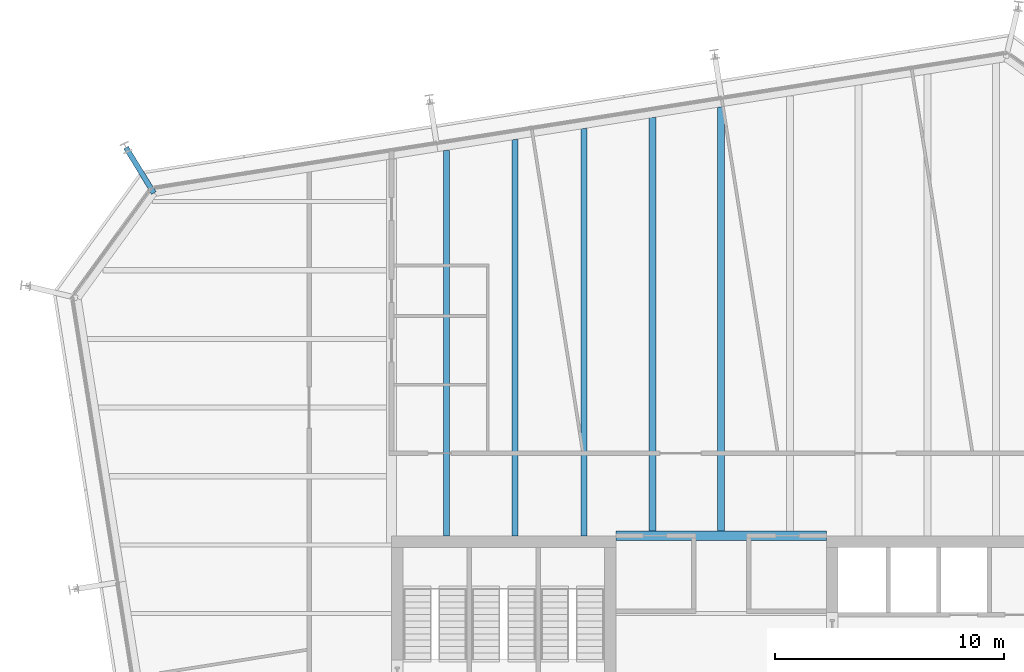
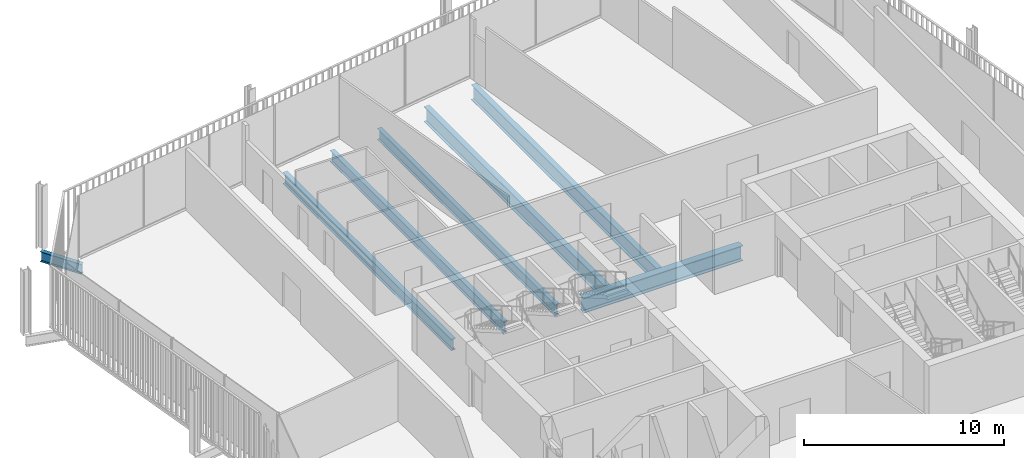
# One storey, part 11 of 20: 7 beams.
"""IFC4 building model written with IfcOpenShell, lengths in metres."""

import ifcopenshell
import ifcopenshell.guid

model = None  # the IFC model being written
_history = None  # IfcOwnerHistory: only IFC2X3 demands one
_inside = {}  # id of a spatial element -> (the spatial element, [elements in it])
_under = {}  # id of a project, library or spatial element -> (it, [spatial elements below it])
_declared = {}  # id of a project -> (the project, [libraries it declares])
_typed = {}  # id of a type object -> (the type object, [elements of that type])
_made_of = {}  # id of a material, layer set ... -> (it, [elements and type objects made of it])


def new_model(schema):
    """Start an empty IFC model of exactly this schema.

    Asked for "IFC4X3", IfcOpenShell would pick the latest addendum, in which some entities
    have other attributes; the version numbers below select the first issue.
    IFC2X3 requires an IfcOwnerHistory on every rooted entity: one is made here for all.
    """
    global model, _history
    if schema == "IFC4X3":
        model = ifcopenshell.file(schema_version=(4, 3, 0, 0))
    else:
        model = ifcopenshell.file(schema=schema)
    _inside.clear()
    _under.clear()
    _declared.clear()
    _typed.clear()
    _made_of.clear()
    _history = None
    if model.schema == "IFC2X3":
        org = make("IfcOrganization", Name="unknown")
        user = make(
            "IfcPersonAndOrganization",
            ThePerson=make("IfcPerson", FamilyName="unknown"),
            TheOrganization=org,
        )
        app = make(
            "IfcApplication",
            ApplicationDeveloper=org,
            Version="unknown",
            ApplicationFullName="unknown",
            ApplicationIdentifier="unknown",
        )
        _history = make(
            "IfcOwnerHistory",
            OwningUser=user,
            OwningApplication=app,
            ChangeAction="ADDED",
            CreationDate=0,
        )
    return model


def make(cls, **values):
    """One entity of the class cls with the attributes given. An attribute that is None is left unset."""
    return model.create_entity(
        cls, **{name: value for name, value in values.items() if value is not None}
    )


def rooted(cls, **values):
    """An entity with a GlobalId (a new one), such as an element, a storey or a relation."""
    return make(cls, GlobalId=ifcopenshell.guid.new(), OwnerHistory=_history, **values)


def si_unit(unit_type, name, prefix=None):
    """IfcSIUnit, for example si_unit("LENGTHUNIT", "METRE", prefix="MILLI")."""
    return make("IfcSIUnit", UnitType=unit_type, Prefix=prefix, Name=name)


def assignment(units):
    """IfcUnitAssignment: the units of a project."""
    return None if units is None else make("IfcUnitAssignment", Units=units)


def point(xyz):
    """IfcCartesianPoint."""
    return None if xyz is None else make("IfcCartesianPoint", Coordinates=xyz)


def direction(xyz):
    """IfcDirection."""
    return None if xyz is None else make("IfcDirection", DirectionRatios=xyz)


def frame(location, z_axis=None, x_axis=None):
    """IfcAxis2Placement3D, a coordinate frame: its origin and axes. An axis left out is left unset."""
    return make(
        "IfcAxis2Placement3D",
        Location=point(location),
        Axis=direction(z_axis),
        RefDirection=direction(x_axis),
    )


def frame_2d(location, x_axis=None):
    """IfcAxis2Placement2D, a coordinate frame in the plane: its origin and x axis."""
    return make(
        "IfcAxis2Placement2D", Location=point(location), RefDirection=direction(x_axis)
    )


def origin():
    """The frame at (0, 0, 0) with its axes left unset."""
    return frame((0.0, 0.0, 0.0))


def origin_2d():
    """The frame at (0, 0) in the plane with its x axis left unset."""
    return frame_2d((0.0, 0.0))


def place(relative_to, where):
    """IfcLocalPlacement: puts the frame where relative to a parent placement (None: the world)."""
    return make(
        "IfcLocalPlacement", PlacementRelTo=relative_to, RelativePlacement=where
    )


def context(
    kind, dimensions, precision=None, world=None, true_north=None, identifier=None
):
    """IfcGeometricRepresentationContext, for example the 3D "Model" context."""
    return make(
        "IfcGeometricRepresentationContext",
        ContextIdentifier=identifier,
        ContextType=kind,
        CoordinateSpaceDimension=dimensions,
        Precision=precision,
        WorldCoordinateSystem=world,
        TrueNorth=true_north,
    )


def subcontext(parent, identifier, kind, view, scale=None):
    """IfcGeometricRepresentationSubContext, for example "Body" below "Model"."""
    return make(
        "IfcGeometricRepresentationSubContext",
        ContextIdentifier=identifier,
        ContextType=kind,
        ParentContext=parent,
        TargetScale=scale,
        TargetView=view,
    )


def project(units=None, contexts=None):
    """IfcProject with its units and contexts."""
    return rooted(
        "IfcProject",
        Name="project",
        RepresentationContexts=contexts,
        UnitsInContext=assignment(units),
    )


def spatial(cls, under=None, at=None, **own):
    """A site, building, storey or space (cls), placed at a placement, below another one or the project."""
    s = rooted(cls, ObjectPlacement=at, **own)
    if under is not None:
        _under.setdefault(under.id(), (under, []))[1].append(s)
    return s


def profile(cls, at=None, kind="AREA", **sizes):
    """A parametric profile (cls). Its sizes go by their IFC names, for example OverallWidth=200.0."""
    return make(cls, ProfileType=kind, Position=at, **sizes)


def i_section(**sizes):
    """IfcIShapeProfileDef."""
    return profile("IfcIShapeProfileDef", **sizes)


def extrude(swept, where, along, depth):
    """IfcExtrudedAreaSolid: the profile swept, set in the frame where, extruded along a direction by depth."""
    return make(
        "IfcExtrudedAreaSolid",
        SweptArea=swept,
        Position=where,
        ExtrudedDirection=direction(along),
        Depth=depth,
    )


def shape(context_of_items, identifier, shape_type, items):
    """IfcShapeRepresentation: the items that make up one representation, for example the "Body"."""
    return make(
        "IfcShapeRepresentation",
        ContextOfItems=context_of_items,
        RepresentationIdentifier=identifier,
        RepresentationType=shape_type,
        Items=items,
    )


def material(Name=None, Category=None):
    """IfcMaterial."""
    return make("IfcMaterial", Name=Name, Category=Category)


def material_profile(
    of_material, cross_section, Name=None, Category=None, Priority=None
):
    """IfcMaterialProfile: a cross section and its material."""
    return make(
        "IfcMaterialProfile",
        Name=Name,
        Material=of_material,
        Profile=cross_section,
        Priority=Priority,
        Category=Category,
    )


def profile_set(profiles, Name=None, composite=None):
    """IfcMaterialProfileSet."""
    return make(
        "IfcMaterialProfileSet",
        Name=Name,
        MaterialProfiles=profiles,
        CompositeProfile=composite,
    )


def made_of(thing, what):
    """Note that an element or type object is made of a material, layer set ...; save() writes the relation."""
    if what is not None:
        _made_of.setdefault(what.id(), (what, []))[1].append(thing)
    return thing


def type_object(cls, material=None, **own):
    """A type object (cls), such as IfcWallType, which elements share."""
    return made_of(rooted(cls, **own), material)


def element(
    cls,
    number,
    at=None,
    inside=None,
    cuts=None,
    type_object=None,
    material=None,
    context=None,
    identifier="Body",
    shape_type=None,
    held_by="IfcProductDefinitionShape",
    body=None,
    shapes=None,
    **own,
):
    """One element of the class cls, such as IfcWall. Its Tag is "e" and its number.

    at: its placement. inside: the storey or other place that contains it. cuts: it is an
    opening in that element (IfcRelVoidsElement). A single representation is given by context,
    identifier, shape_type and body (its items); several are given by shapes. held_by: the class
    of the entity that holds the representations. save() writes the other relations.
    """
    e = rooted(cls, Tag="e%d" % number, ObjectPlacement=at, **own)
    if body is not None:
        shapes = [shape(context, identifier, shape_type, body)]
    if shapes is not None:
        e.Representation = make(held_by, Representations=shapes)
    if inside is not None:
        _inside.setdefault(inside.id(), (inside, []))[1].append(e)
    if cuts is not None:
        rooted(
            "IfcRelVoidsElement", RelatingBuildingElement=cuts, RelatedOpeningElement=e
        )
    if type_object is not None:
        _typed.setdefault(type_object.id(), (type_object, []))[1].append(e)
    return made_of(e, material)


def aggregate(whole, parts):
    """IfcRelAggregates: a whole, such as a stair, and the parts it consists of."""
    return rooted("IfcRelAggregates", RelatingObject=whole, RelatedObjects=parts)


def save(model, path):
    """Write the relations noted so far, then the file.

    IfcRelAggregates (storeys below a building ...), IfcRelContainedInSpatialStructure (elements
    in a storey), IfcRelDefinesByType, IfcRelAssociatesMaterial and IfcRelDeclares: one each for
    every whole, place, type object, material and project.
    """
    for whole, parts in _under.values():
        aggregate(whole, parts)
    for where, things in _inside.values():
        rooted(
            "IfcRelContainedInSpatialStructure",
            RelatedElements=things,
            RelatingStructure=where,
        )
    for kind, things in _typed.values():
        rooted("IfcRelDefinesByType", RelatedObjects=things, RelatingType=kind)
    for what, things in _made_of.values():
        rooted("IfcRelAssociatesMaterial", RelatedObjects=things, RelatingMaterial=what)
    for by, libraries in _declared.values():
        rooted("IfcRelDeclares", RelatingContext=by, RelatedDefinitions=libraries)
    model.write(path)


model = new_model("IFC4")

# Units and contexts
model_context = context("Model", 3, precision=1e-05, world=origin(), true_north=direction((0.0, 1.0)))
body_context = subcontext(model_context, "Body", "Model", "MODEL_VIEW")
ifc_project = project(units=[si_unit("LENGTHUNIT", "METRE"), si_unit("AREAUNIT", "SQUARE_METRE"), si_unit("VOLUMEUNIT", "CUBIC_METRE"), si_unit("PLANEANGLEUNIT", "RADIAN"), si_unit("MASSUNIT", "GRAM", prefix="KILO")], contexts=[model_context])

# Site, building, storey
site_placement = place(None, origin())
site = spatial("IfcSite", under=ifc_project, at=site_placement, CompositionType="ELEMENT")
building_placement = place(site_placement, origin())
building = spatial("IfcBuilding", under=site, at=building_placement, Name="Millrace Tower", CompositionType="ELEMENT")
storey_placement = place(building_placement, frame((0.0, 0.0, 224.199951171875)))
storey = spatial("IfcBuildingStorey", under=building, at=storey_placement, Name="L51", CompositionType="ELEMENT", Elevation=224.199951171875)

# Beams
ifc_material_1 = material(Name="Steel ASTM A992 Grade 50", Category="steel")
ifc_material_profile_1 = material_profile(ifc_material_1, i_section(OverallWidth=0.256591796875, OverallDepth=0.693359375, WebThickness=0.014404296875, FlangeThickness=0.023681640625, FilletRadius=0.01513671875, at=origin_2d()))
ifc_profile_set_1 = profile_set([ifc_material_profile_1], Name="Steel ASTM A992 Grade 50")
beam_type_1 = type_object("IfcBeamType", Name="Floor beam W27x114", PredefinedType="JOIST", material=ifc_profile_set_1)
beam_1_placement = place(storey_placement, frame((-12.0, 9.39990234375, -0.506591796875), z_axis=(0.0, 1.0, 0.0), x_axis=(-1.0, 0.0, 0.0)))
element("IfcBeam", 1, at=beam_1_placement, inside=storey, type_object=beam_type_1, Name="BM-D-L51-S1-S036", PredefinedType="JOIST", context=body_context, shape_type="SweptSolid", body=[
    extrude(i_section(OverallWidth=0.256591796875, OverallDepth=0.693359375, WebThickness=0.014404296875, FlangeThickness=0.023681640625, FilletRadius=0.01513671875, at=origin_2d()), origin(), (0.0, 0.0, 1.0), 16.8369140625),
])
beam_2_placement = place(storey_placement, frame((-9.0, 9.39990234375, -0.506591796875), z_axis=(0.0, 1.0, 0.0), x_axis=(-1.0, 0.0, 0.0)))
element("IfcBeam", 2, at=beam_2_placement, inside=storey, type_object=beam_type_1, Name="BM-D-L51-S1-S038", PredefinedType="JOIST", context=body_context, shape_type="SweptSolid", body=[
    extrude(i_section(OverallWidth=0.256591796875, OverallDepth=0.693359375, WebThickness=0.014404296875, FlangeThickness=0.023681640625, FilletRadius=0.01513671875, at=origin_2d()), origin(), (0.0, 0.0, 1.0), 17.31201171875),
])
beam_3_placement = place(storey_placement, frame((-6.0, 9.39990234375, -0.506591796875), z_axis=(0.0, 1.0, 0.0), x_axis=(-1.0, 0.0, 0.0)))
element("IfcBeam", 3, at=beam_3_placement, inside=storey, type_object=beam_type_1, Name="BM-D-L51-S1-S040", PredefinedType="JOIST", context=body_context, shape_type="SweptSolid", body=[
    extrude(i_section(OverallWidth=0.256591796875, OverallDepth=0.693359375, WebThickness=0.014404296875, FlangeThickness=0.023681640625, FilletRadius=0.01513671875, at=origin_2d()), origin(), (0.0, 0.0, 1.0), 17.787109375),
])
ifc_material_2 = material(Name="Steel ASTM A992 Grade 50", Category="steel")
ifc_material_profile_2 = material_profile(ifc_material_2, i_section(OverallWidth=0.307373046875, OverallDepth=0.927001953125, WebThickness=0.01953125, FlangeThickness=0.031982421875, FilletRadius=0.01904296875, at=origin_2d()))
ifc_profile_set_2 = profile_set([ifc_material_profile_2], Name="Steel ASTM A992 Grade 50")
beam_type_2 = type_object("IfcBeamType", Name="Floor beam W36x194", PredefinedType="JOIST", material=ifc_profile_set_2)
beam_4_placement = place(storey_placement, frame((-3.0, 9.609619140625, -0.62353515625), z_axis=(0.0, 1.0, 0.0), x_axis=(-1.0, 0.0, 0.0)))
element("IfcBeam", 4, at=beam_4_placement, inside=storey, type_object=beam_type_2, Name="BM-D-L51-S1-S042", PredefinedType="JOIST", context=body_context, shape_type="SweptSolid", body=[
    extrude(i_section(OverallWidth=0.307373046875, OverallDepth=0.927001953125, WebThickness=0.01953125, FlangeThickness=0.031982421875, FilletRadius=0.01904296875, at=origin_2d()), origin(), (0.0, 0.0, 1.0), 18.052490234375),
])
beam_5_placement = place(storey_placement, frame((0.0, 9.609619140625, -0.62353515625), z_axis=(0.0, 1.0, 0.0), x_axis=(-1.0, 0.0, 0.0)))
element("IfcBeam", 5, at=beam_5_placement, inside=storey, type_object=beam_type_2, Name="BM-D-L51-S1-S044", PredefinedType="JOIST", context=body_context, shape_type="SweptSolid", body=[
    extrude(i_section(OverallWidth=0.307373046875, OverallDepth=0.927001953125, WebThickness=0.01953125, FlangeThickness=0.031982421875, FilletRadius=0.01904296875, at=origin_2d()), origin(), (0.0, 0.0, 1.0), 18.527587890625),
])
ifc_material_3 = material(Name="Steel ASTM A992 Grade 50", Category="steel")
ifc_material_profile_3 = material_profile(ifc_material_3, i_section(OverallWidth=0.419189453125, OverallDepth=0.927001953125, WebThickness=0.019287109375, FlangeThickness=0.031982421875, FilletRadius=0.024169921875, at=origin_2d()))
ifc_profile_set_3 = profile_set([ifc_material_profile_3], Name="Steel ASTM A992 Grade 50")
beam_type_3 = type_object("IfcBeamType", Name="Girder short span W36x231", PredefinedType="BEAM", material=ifc_profile_set_3)
beam_6_placement = place(storey_placement, frame((-4.60009765625, 9.39990234375, -0.62353515625), z_axis=(1.0, 0.0, 0.0), x_axis=(0.0, 1.0, 0.0)))
element("IfcBeam", 6, at=beam_6_placement, inside=storey, type_object=beam_type_3, Name="BM-D-L51-S1-G058", PredefinedType="BEAM", context=body_context, shape_type="SweptSolid", body=[
    extrude(i_section(OverallWidth=0.419189453125, OverallDepth=0.927001953125, WebThickness=0.019287109375, FlangeThickness=0.031982421875, FilletRadius=0.024169921875, at=origin_2d()), origin(), (0.0, 0.0, 1.0), 9.2001953125),
])
ifc_material_4 = material(Name="Steel ASTM A992 Grade 50", Category="steel")
ifc_material_profile_4 = material_profile(ifc_material_4, i_section(OverallWidth=0.23046875, OverallDepth=0.6171875, WebThickness=0.01318359375, FlangeThickness=0.022216796875, FilletRadius=0.012939453125, at=origin_2d()))
ifc_profile_set_4 = profile_set([ifc_material_profile_4], Name="Steel ASTM A992 Grade 50")
beam_type_4 = type_object("IfcBeamType", Name="Link beam W24x94", PredefinedType="BEAM", material=ifc_profile_set_4)
beam_7_placement = place(storey_placement, frame((-24.7783203125, 24.368408203125, -0.468505859375), z_axis=(-0.522512938711, 0.852631355792, 0.0), x_axis=(-0.852631355792, -0.522512938711, 0.0)))
element("IfcBeam", 7, at=beam_7_placement, inside=storey, type_object=beam_type_4, Name="LNK-D-L51-S1-05", PredefinedType="BEAM", context=body_context, shape_type="SweptSolid", body=[
    extrude(i_section(OverallWidth=0.23046875, OverallDepth=0.6171875, WebThickness=0.01318359375, FlangeThickness=0.022216796875, FilletRadius=0.012939453125, at=origin_2d()), origin(), (0.0, 0.0, 1.0), 2.3310546875),
])

save(model, "model.ifc")
